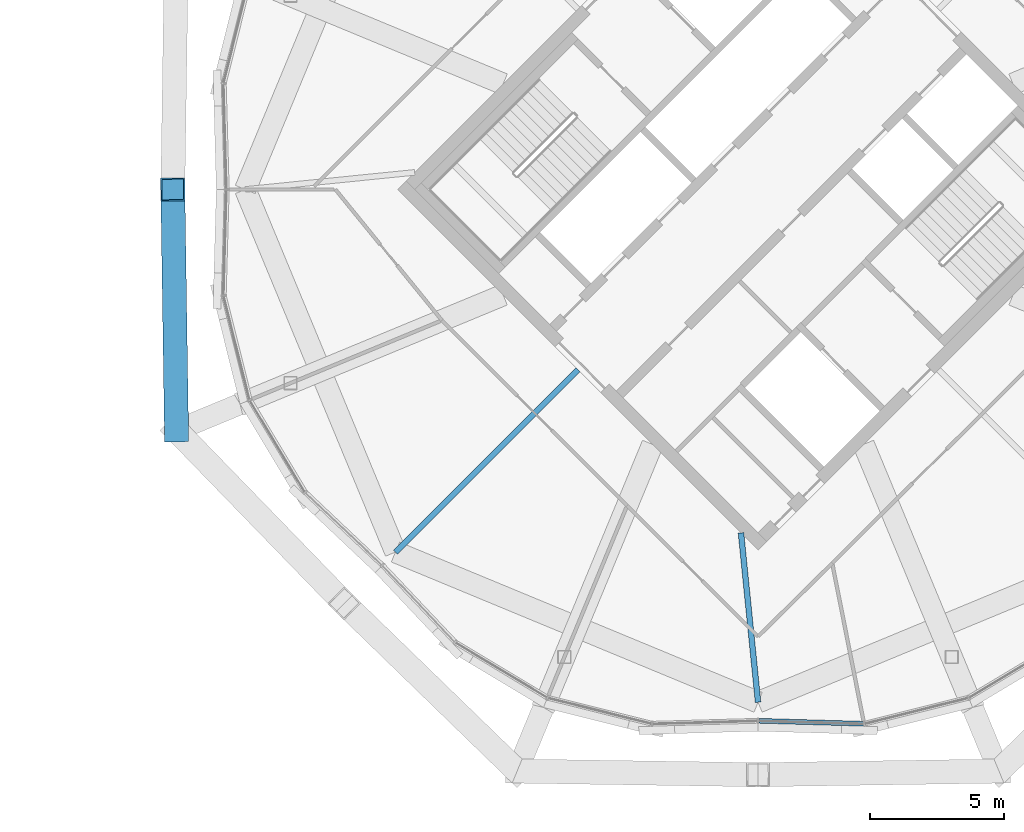
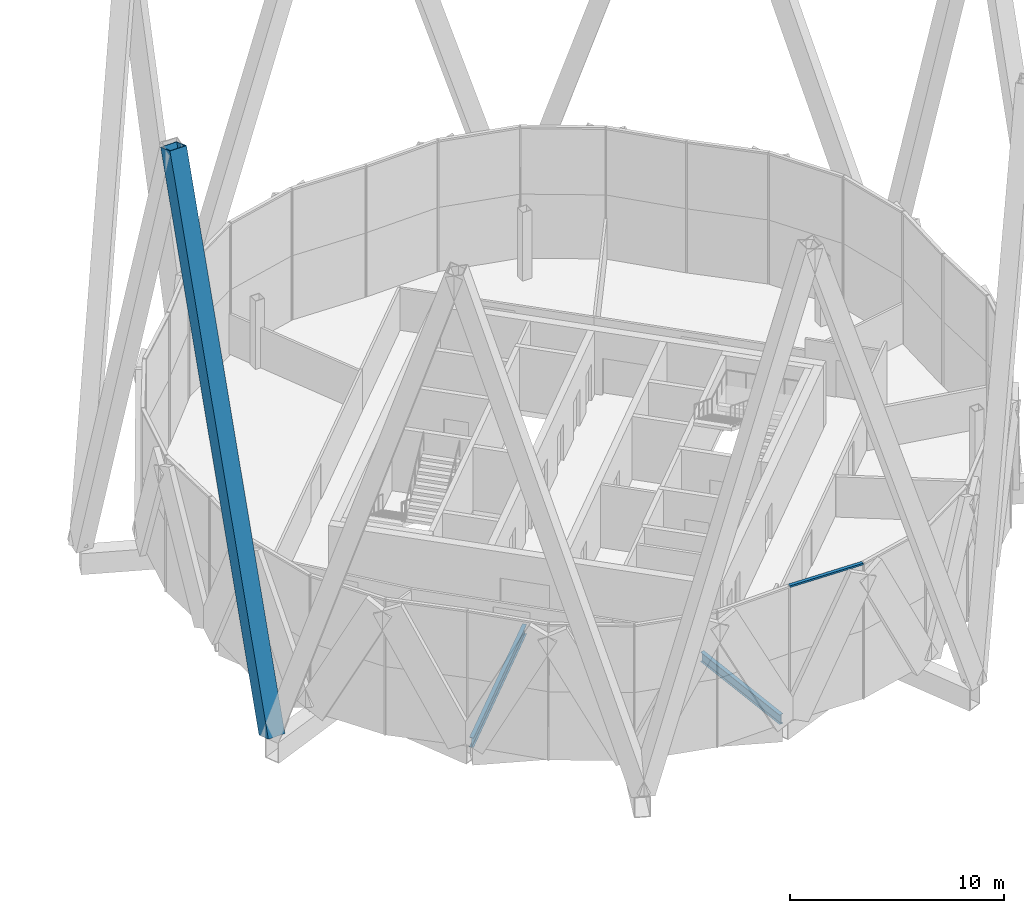
# One storey, part 25 of 53: 2 beams, 2 members, 1 element without a shape of its own.
"""IFC4 building model written with IfcOpenShell, lengths in metres."""

import ifcopenshell
import ifcopenshell.guid

model = None  # the IFC model being written
_history = None  # IfcOwnerHistory: only IFC2X3 demands one
_inside = {}  # id of a spatial element -> (the spatial element, [elements in it])
_under = {}  # id of a project, library or spatial element -> (it, [spatial elements below it])
_declared = {}  # id of a project -> (the project, [libraries it declares])
_typed = {}  # id of a type object -> (the type object, [elements of that type])
_made_of = {}  # id of a material, layer set ... -> (it, [elements and type objects made of it])


def new_model(schema):
    """Start an empty IFC model of exactly this schema.

    Asked for "IFC4X3", IfcOpenShell would pick the latest addendum, in which some entities
    have other attributes; the version numbers below select the first issue.
    IFC2X3 requires an IfcOwnerHistory on every rooted entity: one is made here for all.
    """
    global model, _history
    if schema == "IFC4X3":
        model = ifcopenshell.file(schema_version=(4, 3, 0, 0))
    else:
        model = ifcopenshell.file(schema=schema)
    _inside.clear()
    _under.clear()
    _declared.clear()
    _typed.clear()
    _made_of.clear()
    _history = None
    if model.schema == "IFC2X3":
        org = make("IfcOrganization", Name="unknown")
        user = make(
            "IfcPersonAndOrganization",
            ThePerson=make("IfcPerson", FamilyName="unknown"),
            TheOrganization=org,
        )
        app = make(
            "IfcApplication",
            ApplicationDeveloper=org,
            Version="unknown",
            ApplicationFullName="unknown",
            ApplicationIdentifier="unknown",
        )
        _history = make(
            "IfcOwnerHistory",
            OwningUser=user,
            OwningApplication=app,
            ChangeAction="ADDED",
            CreationDate=0,
        )
    return model


def make(cls, **values):
    """One entity of the class cls with the attributes given. An attribute that is None is left unset."""
    return model.create_entity(
        cls, **{name: value for name, value in values.items() if value is not None}
    )


def rooted(cls, **values):
    """An entity with a GlobalId (a new one), such as an element, a storey or a relation."""
    return make(cls, GlobalId=ifcopenshell.guid.new(), OwnerHistory=_history, **values)


def si_unit(unit_type, name, prefix=None):
    """IfcSIUnit, for example si_unit("LENGTHUNIT", "METRE", prefix="MILLI")."""
    return make("IfcSIUnit", UnitType=unit_type, Prefix=prefix, Name=name)


def assignment(units):
    """IfcUnitAssignment: the units of a project."""
    return None if units is None else make("IfcUnitAssignment", Units=units)


def point(xyz):
    """IfcCartesianPoint."""
    return None if xyz is None else make("IfcCartesianPoint", Coordinates=xyz)


def direction(xyz):
    """IfcDirection."""
    return None if xyz is None else make("IfcDirection", DirectionRatios=xyz)


def frame(location, z_axis=None, x_axis=None):
    """IfcAxis2Placement3D, a coordinate frame: its origin and axes. An axis left out is left unset."""
    return make(
        "IfcAxis2Placement3D",
        Location=point(location),
        Axis=direction(z_axis),
        RefDirection=direction(x_axis),
    )


def frame_2d(location, x_axis=None):
    """IfcAxis2Placement2D, a coordinate frame in the plane: its origin and x axis."""
    return make(
        "IfcAxis2Placement2D", Location=point(location), RefDirection=direction(x_axis)
    )


def origin():
    """The frame at (0, 0, 0) with its axes left unset."""
    return frame((0.0, 0.0, 0.0))


def origin_2d():
    """The frame at (0, 0) in the plane with its x axis left unset."""
    return frame_2d((0.0, 0.0))


def place(relative_to, where):
    """IfcLocalPlacement: puts the frame where relative to a parent placement (None: the world)."""
    return make(
        "IfcLocalPlacement", PlacementRelTo=relative_to, RelativePlacement=where
    )


def context(
    kind, dimensions, precision=None, world=None, true_north=None, identifier=None
):
    """IfcGeometricRepresentationContext, for example the 3D "Model" context."""
    return make(
        "IfcGeometricRepresentationContext",
        ContextIdentifier=identifier,
        ContextType=kind,
        CoordinateSpaceDimension=dimensions,
        Precision=precision,
        WorldCoordinateSystem=world,
        TrueNorth=true_north,
    )


def subcontext(parent, identifier, kind, view, scale=None):
    """IfcGeometricRepresentationSubContext, for example "Body" below "Model"."""
    return make(
        "IfcGeometricRepresentationSubContext",
        ContextIdentifier=identifier,
        ContextType=kind,
        ParentContext=parent,
        TargetScale=scale,
        TargetView=view,
    )


def project(units=None, contexts=None):
    """IfcProject with its units and contexts."""
    return rooted(
        "IfcProject",
        Name="project",
        RepresentationContexts=contexts,
        UnitsInContext=assignment(units),
    )


def spatial(cls, under=None, at=None, **own):
    """A site, building, storey or space (cls), placed at a placement, below another one or the project."""
    s = rooted(cls, ObjectPlacement=at, **own)
    if under is not None:
        _under.setdefault(under.id(), (under, []))[1].append(s)
    return s


def profile(cls, at=None, kind="AREA", **sizes):
    """A parametric profile (cls). Its sizes go by their IFC names, for example OverallWidth=200.0."""
    return make(cls, ProfileType=kind, Position=at, **sizes)


def rectangle(**sizes):
    """IfcRectangleProfileDef."""
    return profile("IfcRectangleProfileDef", **sizes)


def hollow_rectangle(**sizes):
    """IfcRectangleHollowProfileDef."""
    return profile("IfcRectangleHollowProfileDef", **sizes)


def i_section(**sizes):
    """IfcIShapeProfileDef."""
    return profile("IfcIShapeProfileDef", **sizes)


def extrude(swept, where, along, depth):
    """IfcExtrudedAreaSolid: the profile swept, set in the frame where, extruded along a direction by depth."""
    return make(
        "IfcExtrudedAreaSolid",
        SweptArea=swept,
        Position=where,
        ExtrudedDirection=direction(along),
        Depth=depth,
    )


def shape(context_of_items, identifier, shape_type, items):
    """IfcShapeRepresentation: the items that make up one representation, for example the "Body"."""
    return make(
        "IfcShapeRepresentation",
        ContextOfItems=context_of_items,
        RepresentationIdentifier=identifier,
        RepresentationType=shape_type,
        Items=items,
    )


def material(Name=None, Category=None):
    """IfcMaterial."""
    return make("IfcMaterial", Name=Name, Category=Category)


def material_profile(
    of_material, cross_section, Name=None, Category=None, Priority=None
):
    """IfcMaterialProfile: a cross section and its material."""
    return make(
        "IfcMaterialProfile",
        Name=Name,
        Material=of_material,
        Profile=cross_section,
        Priority=Priority,
        Category=Category,
    )


def profile_set(profiles, Name=None, composite=None):
    """IfcMaterialProfileSet."""
    return make(
        "IfcMaterialProfileSet",
        Name=Name,
        MaterialProfiles=profiles,
        CompositeProfile=composite,
    )


def made_of(thing, what):
    """Note that an element or type object is made of a material, layer set ...; save() writes the relation."""
    if what is not None:
        _made_of.setdefault(what.id(), (what, []))[1].append(thing)
    return thing


def type_object(cls, material=None, **own):
    """A type object (cls), such as IfcWallType, which elements share."""
    return made_of(rooted(cls, **own), material)


def element(
    cls,
    number,
    at=None,
    inside=None,
    cuts=None,
    type_object=None,
    material=None,
    context=None,
    identifier="Body",
    shape_type=None,
    held_by="IfcProductDefinitionShape",
    body=None,
    shapes=None,
    **own,
):
    """One element of the class cls, such as IfcWall. Its Tag is "e" and its number.

    at: its placement. inside: the storey or other place that contains it. cuts: it is an
    opening in that element (IfcRelVoidsElement). A single representation is given by context,
    identifier, shape_type and body (its items); several are given by shapes. held_by: the class
    of the entity that holds the representations. save() writes the other relations.
    """
    e = rooted(cls, Tag="e%d" % number, ObjectPlacement=at, **own)
    if body is not None:
        shapes = [shape(context, identifier, shape_type, body)]
    if shapes is not None:
        e.Representation = make(held_by, Representations=shapes)
    if inside is not None:
        _inside.setdefault(inside.id(), (inside, []))[1].append(e)
    if cuts is not None:
        rooted(
            "IfcRelVoidsElement", RelatingBuildingElement=cuts, RelatedOpeningElement=e
        )
    if type_object is not None:
        _typed.setdefault(type_object.id(), (type_object, []))[1].append(e)
    return made_of(e, material)


def aggregate(whole, parts):
    """IfcRelAggregates: a whole, such as a stair, and the parts it consists of."""
    return rooted("IfcRelAggregates", RelatingObject=whole, RelatedObjects=parts)


def save(model, path):
    """Write the relations noted so far, then the file.

    IfcRelAggregates (storeys below a building ...), IfcRelContainedInSpatialStructure (elements
    in a storey), IfcRelDefinesByType, IfcRelAssociatesMaterial and IfcRelDeclares: one each for
    every whole, place, type object, material and project.
    """
    for whole, parts in _under.values():
        aggregate(whole, parts)
    for where, things in _inside.values():
        rooted(
            "IfcRelContainedInSpatialStructure",
            RelatedElements=things,
            RelatingStructure=where,
        )
    for kind, things in _typed.values():
        rooted("IfcRelDefinesByType", RelatedObjects=things, RelatingType=kind)
    for what, things in _made_of.values():
        rooted("IfcRelAssociatesMaterial", RelatedObjects=things, RelatingMaterial=what)
    for by, libraries in _declared.values():
        rooted("IfcRelDeclares", RelatingContext=by, RelatedDefinitions=libraries)
    model.write(path)


model = new_model("IFC4")

# Units and contexts
model_context = context("Model", 3, precision=1e-05, world=origin(), true_north=direction((0.0, 1.0)))
body_context = subcontext(model_context, "Body", "Model", "MODEL_VIEW")
ifc_project = project(units=[si_unit("LENGTHUNIT", "METRE"), si_unit("AREAUNIT", "SQUARE_METRE"), si_unit("VOLUMEUNIT", "CUBIC_METRE"), si_unit("PLANEANGLEUNIT", "RADIAN"), si_unit("MASSUNIT", "GRAM", prefix="KILO")], contexts=[model_context])

# Site, building, storey
site_placement = place(None, origin())
site = spatial("IfcSite", under=ifc_project, at=site_placement, CompositionType="ELEMENT")
building_placement = place(site_placement, origin())
building = spatial("IfcBuilding", under=site, at=building_placement, Name="Ogive Gate Towers", CompositionType="ELEMENT")
storey_placement = place(building_placement, frame((0.0, 0.0, 240.60009765625)))
storey = spatial("IfcBuildingStorey", under=building, at=storey_placement, Name="L57", CompositionType="ELEMENT", Elevation=240.60009765625)

# Member
ifc_material_1 = material(Name="Steel SM460", Category="steel")
ifc_material_profile_1 = material_profile(ifc_material_1, hollow_rectangle(XDim=0.89990234375, YDim=0.89990234375, WallThickness=0.050048828125, at=origin_2d()), Name="BX 900x900x50")
ifc_profile_set_1 = profile_set([ifc_material_profile_1], Name="Steel SM460")
member_type_1 = type_object("IfcMemberType", Name="Diagrid diagonal BX 900x900x50", PredefinedType="BRACE", material=ifc_profile_set_1)
member_1_placement = place(storey_placement, frame((14.32568359375, -8.977783203125, 0.0), z_axis=(-0.00458667981, 0.303356073086, 0.952866231582), x_axis=(-0.999885715585, -0.015118061019, 0.0)))
element("IfcMember", 1, at=member_1_placement, inside=storey, type_object=member_type_1, Name="T2/L57/SDG009", PredefinedType="BRACE", context=body_context, shape_type="SweptSolid", body=[
    extrude(hollow_rectangle(XDim=0.89990234375, YDim=0.89990234375, WallThickness=0.050048828125, at=origin_2d()), origin(), (0.0, 0.0, 1.0), 29.594970703125),
])

# Beams
ifc_material_2 = material(Name="Steel SM355", Category="steel")
ifc_material_profile_2 = material_profile(ifc_material_2, i_section(OverallWidth=0.2099609375, OverallDepth=0.550048828125, WebThickness=0.010986328125, FlangeThickness=0.01708984375, FilletRadius=0.02392578125, at=origin_2d()), Name="IPE 550")
ifc_profile_set_2 = profile_set([ifc_material_profile_2], Name="Steel SM355")
beam_type = type_object("IfcBeamType", Name="Radial floor beam IPE 550", PredefinedType="BEAM", material=ifc_profile_set_2)
beam_1_placement = place(storey_placement, frame((29.282470703125, -6.717529296875, -0.5751953125), z_axis=(-0.707106781187, -0.707106781187, 0.0), x_axis=(0.707106781187, -0.707106781187, 0.0)))
element("IfcBeam", 2, at=beam_1_placement, inside=storey, type_object=beam_type, Name="T2/L57/SBM001", PredefinedType="BEAM", context=body_context, shape_type="SweptSolid", body=[
    extrude(i_section(OverallWidth=0.2099609375, OverallDepth=0.550048828125, WebThickness=0.010986328125, FlangeThickness=0.01708984375, FilletRadius=0.02392578125, at=origin_2d()), origin(), (0.0, 0.0, 1.0), 9.60986328125),
])
beam_2_placement = place(storey_placement, frame((35.363525390625, -12.798583984375, -0.5751953125), z_axis=(0.100334383706, -0.994953773522, 0.0), x_axis=(0.994953773522, 0.100334383706, 0.0)))
element("IfcBeam", 3, at=beam_2_placement, inside=storey, type_object=beam_type, Name="T2/L57/SBM003", PredefinedType="BEAM", context=body_context, shape_type="SweptSolid", body=[
    extrude(i_section(OverallWidth=0.2099609375, OverallDepth=0.550048828125, WebThickness=0.010986328125, FlangeThickness=0.01708984375, FilletRadius=0.02392578125, at=origin_2d()), origin(), (0.0, 0.0, 1.0), 6.343505859375),
])

# Curtain wall, member
ifc_material_3 = material(Name="Pale metal aluminium", Category="aluminium")
curtain_wall_type = type_object("IfcCurtainWallType", Name="Tower unitised wall, high zone", PredefinedType="NOTDEFINED", material=ifc_material_3)
curtain_wall_placement = place(storey_placement, origin())
curtain_wall = element("IfcCurtainWall", 4, at=curtain_wall_placement, inside=storey, type_object=curtain_wall_type, Name="CW2 T2 ECW07", PredefinedType="NOTDEFINED")
ifc_material_profile_3 = material_profile(ifc_material_3, rectangle(XDim=0.179931640625, YDim=0.10009765625, at=origin_2d()), Name="100 x 180 aluminium box")
ifc_profile_set_3 = profile_set([ifc_material_profile_3], Name="Pale metal aluminium")
member_type_2 = type_object("IfcMemberType", Name="Tower unitised wall, high zone transom 100 x 180", PredefinedType="USERDEFINED", material=ifc_profile_set_3)
member_2_placement = place(storey_placement, frame((36.0302734375, -19.80078125, 7.449951171875), z_axis=(0.999598654458, -0.02832896055, 0.0), x_axis=(0.02832896055, 0.999598654458, 0.0)))
member_2 = element("IfcMember", 5, at=member_2_placement, type_object=member_type_2, Name="CW2 transom", ObjectType="TRANSOM", PredefinedType="USERDEFINED", context=body_context, shape_type="SweptSolid", body=[
    extrude(rectangle(XDim=0.179931640625, YDim=0.10009765625, at=origin_2d()), origin(), (0.0, 0.0, 1.0), 3.895263671875),
])
aggregate(curtain_wall, [member_2])

save(model, "model.ifc")
